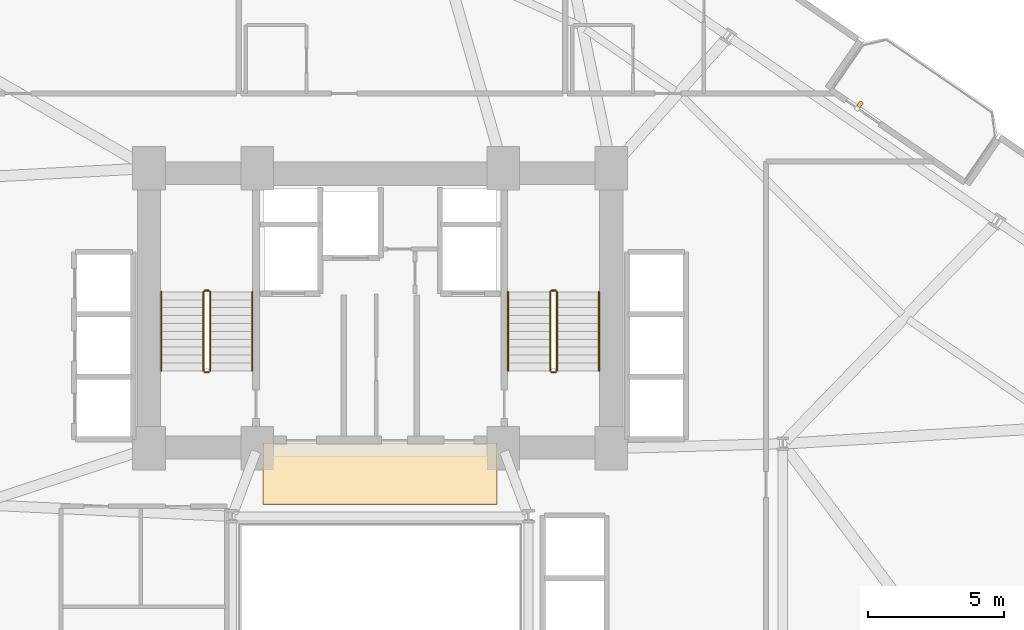
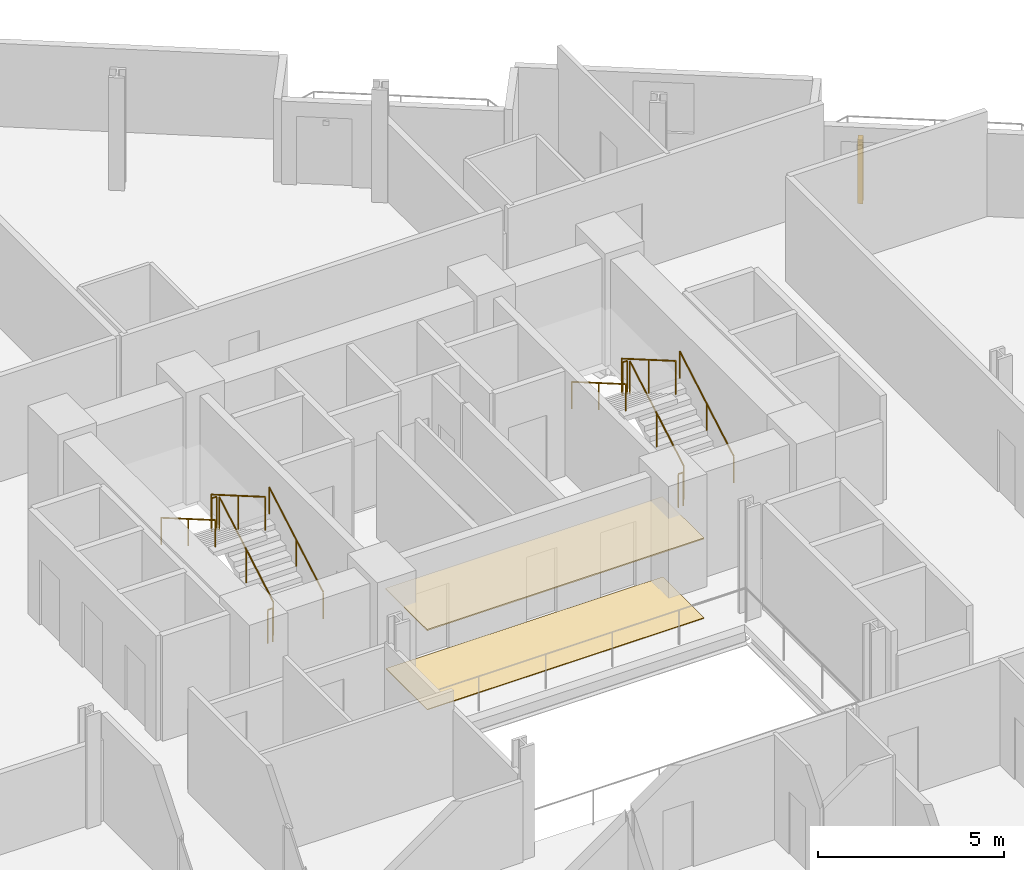
# One storey, part 24 of 25: 12 railings, 2 coverings, 1 shading device.
"""IFC4 building model written with IfcOpenShell, lengths in metres."""

from ifc_helpers import new_model, si_unit, direction, frame, origin, origin_2d, place, context, subcontext, project, spatial, rectangle, circle, extrude, source, transform, mapped, material, layer, layer_set, type_object, element, save


model = new_model("IFC4")

# Units and contexts
model_context = context("Model", 3, precision=1e-05, world=origin(), true_north=direction((0.0, 1.0)))
body_context = subcontext(model_context, "Body", "Model", "MODEL_VIEW")
ifc_project = project(units=[si_unit("LENGTHUNIT", "METRE"), si_unit("AREAUNIT", "SQUARE_METRE"), si_unit("VOLUMEUNIT", "CUBIC_METRE"), si_unit("PLANEANGLEUNIT", "RADIAN"), si_unit("MASSUNIT", "GRAM", prefix="KILO")], contexts=[model_context])

# Site, building, storey
site_placement = place(None, origin())
site = spatial("IfcSite", under=ifc_project, at=site_placement, CompositionType="ELEMENT")
building_placement = place(site_placement, origin())
building = spatial("IfcBuilding", under=site, at=building_placement, Name="Varnelok Gate Tower", CompositionType="ELEMENT")
storey_placement = place(building_placement, frame((0.0, 0.0, 49.199951171875)))
storey = spatial("IfcBuildingStorey", under=building, at=storey_placement, Name="L11", CompositionType="ELEMENT", Elevation=49.199951171875)

# Railings
ifc_material_1 = material(Name="Brushed Stainless Steel AISI 316", Category="steel")
railing_type_1 = type_object("IfcRailingType", Name="RL-HANDRAIL-900", PredefinedType="HANDRAIL", material=ifc_material_1)
railing_1_placement = place(storey_placement, frame((34.5, 31.60009765625, 0.168212890625)))
element("IfcRailing", 1, at=railing_1_placement, inside=storey, type_object=railing_type_1, Name="L11 ST-1 stair handrail 1", PredefinedType="HANDRAIL", context=body_context, shape_type="SweptSolid", body=[
    extrude(circle(Radius=0.02392578125, at=origin_2d()), frame((0.0, 0.0, 0.8759765625), z_axis=(0.0, 0.865038774852, 0.501705010941), x_axis=(-1.0, 0.0, 0.0)), (0.0, 0.0, 1.0), 3.352294921875),
    extrude(circle(Radius=0.02099609375, at=origin_2d()), origin(), (0.0, 0.0, 1.0), 0.851806640625),
    extrude(circle(Radius=0.02099609375, at=origin_2d()), frame((0.0, 1.449951171875, 0.8408203125)), (0.0, 0.0, 1.0), 0.851806640625),
    extrude(circle(Radius=0.02099609375, at=origin_2d()), frame((0.0, 2.89990234375, 1.681884765625)), (0.0, 0.0, 1.0), 0.851806640625),
])
railing_2_placement = place(storey_placement, frame((31.14990234375, 34.5, 2.018310546875)))
element("IfcRailing", 2, at=railing_2_placement, inside=storey, type_object=railing_type_1, Name="L11 ST-1 stair handrail 2", PredefinedType="HANDRAIL", context=body_context, shape_type="SweptSolid", body=[
    extrude(circle(Radius=0.02392578125, at=origin_2d()), frame((0.0, 0.0, 0.8759765625), z_axis=(0.0, -0.86507038078, 0.501650512107), x_axis=(1.0, 0.0, 0.0)), (0.0, 0.0, 1.0), 3.352294921875),
    extrude(circle(Radius=0.02099609375, at=origin_2d()), origin(), (0.0, 0.0, 1.0), 0.851806640625),
    extrude(circle(Radius=0.02099609375, at=origin_2d()), frame((0.0, -1.449951171875, 0.8408203125)), (0.0, 0.0, 1.0), 0.851806640625),
    extrude(circle(Radius=0.02099609375, at=origin_2d()), frame((0.0, -2.89990234375, 1.681640625)), (0.0, 0.0, 1.0), 0.851806640625),
])
railing_3_placement = place(storey_placement, frame((47.25, 31.60009765625, 0.168212890625)))
element("IfcRailing", 3, at=railing_3_placement, inside=storey, type_object=railing_type_1, Name="L11 ST-2 stair handrail 1", PredefinedType="HANDRAIL", context=body_context, shape_type="SweptSolid", body=[
    extrude(circle(Radius=0.02392578125, at=origin_2d()), frame((0.0, 0.0, 0.8759765625), z_axis=(0.0, 0.865038774852, 0.501705010941), x_axis=(-1.0, 0.0, 0.0)), (0.0, 0.0, 1.0), 3.352294921875),
    extrude(circle(Radius=0.02099609375, at=origin_2d()), origin(), (0.0, 0.0, 1.0), 0.851806640625),
    extrude(circle(Radius=0.02099609375, at=origin_2d()), frame((0.0, 1.449951171875, 0.8408203125)), (0.0, 0.0, 1.0), 0.851806640625),
    extrude(circle(Radius=0.02099609375, at=origin_2d()), frame((0.0, 2.89990234375, 1.681884765625)), (0.0, 0.0, 1.0), 0.851806640625),
])
railing_4_placement = place(storey_placement, frame((43.89990234375, 34.5, 2.018310546875)))
element("IfcRailing", 4, at=railing_4_placement, inside=storey, type_object=railing_type_1, Name="L11 ST-2 stair handrail 2", PredefinedType="HANDRAIL", context=body_context, shape_type="SweptSolid", body=[
    extrude(circle(Radius=0.02392578125, at=origin_2d()), frame((0.0, 0.0, 0.8759765625), z_axis=(0.0, -0.86507038078, 0.501650512107), x_axis=(1.0, 0.0, 0.0)), (0.0, 0.0, 1.0), 3.352294921875),
    extrude(circle(Radius=0.02099609375, at=origin_2d()), origin(), (0.0, 0.0, 1.0), 0.851806640625),
    extrude(circle(Radius=0.02099609375, at=origin_2d()), frame((0.0, -1.449951171875, 0.8408203125)), (0.0, 0.0, 1.0), 0.851806640625),
    extrude(circle(Radius=0.02099609375, at=origin_2d()), frame((0.0, -2.89990234375, 1.681640625)), (0.0, 0.0, 1.0), 0.851806640625),
])
ifc_material_2 = material(Name="Galvanized Steel Grade S350GD", Category="steel")
railing_type_2 = type_object("IfcRailingType", Name="RL-STAIR-GUARD1120", PredefinedType="GUARDRAIL", material=ifc_material_2)
railing_5_placement = place(storey_placement, frame((32.949951171875, 31.60009765625, 0.168212890625)))
element("IfcRailing", 5, at=railing_5_placement, inside=storey, type_object=railing_type_2, Name="L11 ST-1 stair guard 1", PredefinedType="GUARDRAIL", context=body_context, shape_type="SweptSolid", body=[
    extrude(circle(Radius=0.02392578125, at=origin_2d()), frame((0.0, 0.0, 1.09619140625), z_axis=(0.0, 0.865038774852, 0.501705010941), x_axis=(-1.0, 0.0, 0.0)), (0.0, 0.0, 1.0), 3.352294921875),
    extrude(circle(Radius=0.02099609375, at=origin_2d()), origin(), (0.0, 0.0, 1.0), 1.072021484375),
    extrude(circle(Radius=0.02099609375, at=origin_2d()), frame((0.0, 1.449951171875, 0.8408203125)), (0.0, 0.0, 1.0), 1.072021484375),
    extrude(circle(Radius=0.02099609375, at=origin_2d()), frame((0.0, 2.89990234375, 1.681884765625)), (0.0, 0.0, 1.0), 1.072021484375),
])
railing_6_placement = place(storey_placement, frame((32.89990234375, 34.550048828125, 1.85009765625)))
element("IfcRailing", 6, at=railing_6_placement, inside=storey, type_object=railing_type_2, Name="L11 ST-1 stair guard 2", PredefinedType="GUARDRAIL", context=body_context, shape_type="SweptSolid", body=[
    extrude(circle(Radius=0.02392578125, at=origin_2d()), frame((0.0, 0.0, 1.09619140625), z_axis=(-1.0, 0.0, 0.0), x_axis=(0.0, -1.0, 0.0)), (0.0, 0.0, 1.0), 0.14990234375),
    extrude(circle(Radius=0.02099609375, at=origin_2d()), origin(), (0.0, 0.0, 1.0), 1.072021484375),
    extrude(circle(Radius=0.02099609375, at=origin_2d()), frame((-0.14990234375, 0.0, 0.0)), (0.0, 0.0, 1.0), 1.072021484375),
])
railing_7_placement = place(storey_placement, frame((32.699951171875, 34.5, 2.018310546875)))
element("IfcRailing", 7, at=railing_7_placement, inside=storey, type_object=railing_type_2, Name="L11 ST-1 stair guard 3", PredefinedType="GUARDRAIL", context=body_context, shape_type="SweptSolid", body=[
    extrude(circle(Radius=0.02392578125, at=origin_2d()), frame((0.0, 0.0, 1.09619140625), z_axis=(0.0, -0.86507038078, 0.501650512107), x_axis=(1.0, 0.0, 0.0)), (0.0, 0.0, 1.0), 3.352294921875),
    extrude(circle(Radius=0.02099609375, at=origin_2d()), origin(), (0.0, 0.0, 1.0), 1.072021484375),
    extrude(circle(Radius=0.02099609375, at=origin_2d()), frame((0.0, -1.449951171875, 0.8408203125)), (0.0, 0.0, 1.0), 1.072021484375),
    extrude(circle(Radius=0.02099609375, at=origin_2d()), frame((0.0, -2.89990234375, 1.681640625)), (0.0, 0.0, 1.0), 1.072021484375),
])
railing_8_placement = place(storey_placement, frame((32.89990234375, 31.550048828125, 0.0)))
element("IfcRailing", 8, at=railing_8_placement, inside=storey, type_object=railing_type_2, Name="L11 ST-1 stair guard 4", PredefinedType="GUARDRAIL", context=body_context, shape_type="SweptSolid", body=[
    extrude(circle(Radius=0.02392578125, at=origin_2d()), frame((0.0, 0.0, 1.09619140625), z_axis=(-1.0, 0.0, 0.0), x_axis=(0.0, -1.0, 0.0)), (0.0, 0.0, 1.0), 0.14990234375),
    extrude(circle(Radius=0.02099609375, at=origin_2d()), origin(), (0.0, 0.0, 1.0), 1.072021484375),
    extrude(circle(Radius=0.02099609375, at=origin_2d()), frame((-0.14990234375, 0.0, 0.0)), (0.0, 0.0, 1.0), 1.072021484375),
])
railing_9_placement = place(storey_placement, frame((45.699951171875, 31.60009765625, 0.168212890625)))
element("IfcRailing", 9, at=railing_9_placement, inside=storey, type_object=railing_type_2, Name="L11 ST-2 stair guard 1", PredefinedType="GUARDRAIL", context=body_context, shape_type="SweptSolid", body=[
    extrude(circle(Radius=0.02392578125, at=origin_2d()), frame((0.0, 0.0, 1.09619140625), z_axis=(0.0, 0.865038774852, 0.501705010941), x_axis=(-1.0, 0.0, 0.0)), (0.0, 0.0, 1.0), 3.352294921875),
    extrude(circle(Radius=0.02099609375, at=origin_2d()), origin(), (0.0, 0.0, 1.0), 1.072021484375),
    extrude(circle(Radius=0.02099609375, at=origin_2d()), frame((0.0, 1.449951171875, 0.8408203125)), (0.0, 0.0, 1.0), 1.072021484375),
    extrude(circle(Radius=0.02099609375, at=origin_2d()), frame((0.0, 2.89990234375, 1.681884765625)), (0.0, 0.0, 1.0), 1.072021484375),
])
railing_10_placement = place(storey_placement, frame((45.64990234375, 34.550048828125, 1.85009765625)))
element("IfcRailing", 10, at=railing_10_placement, inside=storey, type_object=railing_type_2, Name="L11 ST-2 stair guard 2", PredefinedType="GUARDRAIL", context=body_context, shape_type="SweptSolid", body=[
    extrude(circle(Radius=0.02392578125, at=origin_2d()), frame((0.0, 0.0, 1.09619140625), z_axis=(-1.0, 0.0, 0.0), x_axis=(0.0, -1.0, 0.0)), (0.0, 0.0, 1.0), 0.14990234375),
    extrude(circle(Radius=0.02099609375, at=origin_2d()), origin(), (0.0, 0.0, 1.0), 1.072021484375),
    extrude(circle(Radius=0.02099609375, at=origin_2d()), frame((-0.14990234375, 0.0, 0.0)), (0.0, 0.0, 1.0), 1.072021484375),
])
railing_11_placement = place(storey_placement, frame((45.449951171875, 34.5, 2.018310546875)))
element("IfcRailing", 11, at=railing_11_placement, inside=storey, type_object=railing_type_2, Name="L11 ST-2 stair guard 3", PredefinedType="GUARDRAIL", context=body_context, shape_type="SweptSolid", body=[
    extrude(circle(Radius=0.02392578125, at=origin_2d()), frame((0.0, 0.0, 1.09619140625), z_axis=(0.0, -0.86507038078, 0.501650512107), x_axis=(1.0, 0.0, 0.0)), (0.0, 0.0, 1.0), 3.352294921875),
    extrude(circle(Radius=0.02099609375, at=origin_2d()), origin(), (0.0, 0.0, 1.0), 1.072021484375),
    extrude(circle(Radius=0.02099609375, at=origin_2d()), frame((0.0, -1.449951171875, 0.8408203125)), (0.0, 0.0, 1.0), 1.072021484375),
    extrude(circle(Radius=0.02099609375, at=origin_2d()), frame((0.0, -2.89990234375, 1.681640625)), (0.0, 0.0, 1.0), 1.072021484375),
])
railing_12_placement = place(storey_placement, frame((45.64990234375, 31.550048828125, 0.0)))
element("IfcRailing", 12, at=railing_12_placement, inside=storey, type_object=railing_type_2, Name="L11 ST-2 stair guard 4", PredefinedType="GUARDRAIL", context=body_context, shape_type="SweptSolid", body=[
    extrude(circle(Radius=0.02392578125, at=origin_2d()), frame((0.0, 0.0, 1.09619140625), z_axis=(-1.0, 0.0, 0.0), x_axis=(0.0, -1.0, 0.0)), (0.0, 0.0, 1.0), 0.14990234375),
    extrude(circle(Radius=0.02099609375, at=origin_2d()), origin(), (0.0, 0.0, 1.0), 1.072021484375),
    extrude(circle(Radius=0.02099609375, at=origin_2d()), frame((-0.14990234375, 0.0, 0.0)), (0.0, 0.0, 1.0), 1.072021484375),
])

# Shading device
ifc_material_3 = material(Name="Glazed Architectural Terracotta Ceramic", Category="masonry")
shading_device_type = type_object("IfcShadingDeviceType", Name="SHD-TERRA-FIN", PredefinedType="USERDEFINED", material=ifc_material_3)
shared_shape_1 = source(origin(), body_context, "Body", "SweptSolid", [
    extrude(rectangle(XDim=0.139892578125, YDim=0.219970703125, at=origin_2d()), origin(), (0.0, 0.0, 1.0), 2.10009765625),
])
shading_device_placement = place(storey_placement, frame((56.847412109375, 41.400390625, 0.10009765625), z_axis=(0.0, 0.0, 1.0), x_axis=(0.823532597628, -0.567268949127, 0.0)))
element("IfcShadingDevice", 13, at=shading_device_placement, inside=storey, type_object=shading_device_type, Name="L11 Terracotta Ceramic Baguette Sunscreen 4.1", ObjectType="BAGUETTE", PredefinedType="USERDEFINED", context=body_context, shape_type="MappedRepresentation", body=[
    mapped(shared_shape_1, transform((0.0, 0.0, 0.0), scale=1.0)),
])

# Coverings
ifc_material_4 = material(Name="Honed Travertine Stone Flooring", Category="masonry")
ifc_layer_1 = layer(ifc_material_4, 0.02490234375)
ifc_layer_set_1 = layer_set([ifc_layer_1], Name="Honed Travertine Stone Flooring")
covering_type_1 = type_object("IfcCoveringType", Name="COV-FLOR-STONE", PredefinedType="FLOORING", material=ifc_layer_set_1)
shared_shape_2 = source(origin(), body_context, "Body", "SweptSolid", [
    extrude(rectangle(XDim=8.60009765625, YDim=2.219970703125, at=origin_2d()), origin(), (0.0, 0.0, 1.0), 0.02490234375),
])
covering_1_placement = place(storey_placement, frame((39.199951171875, 27.800048828125, 0.0), z_axis=(0.0, 0.0, 1.0), x_axis=(1.0, 0.0, 0.0)))
element("IfcCovering", 14, at=covering_1_placement, inside=storey, type_object=covering_type_1, Name="L11 Core Gallery Stone Flooring", PredefinedType="FLOORING", context=body_context, shape_type="MappedRepresentation", body=[
    mapped(shared_shape_2, transform((0.0, 0.0, 0.0), scale=1.0)),
])
ifc_material_5 = material(Name="Mineral Fiber Acoustic Ceiling Tile")
ifc_layer_2 = layer(ifc_material_5, 0.0400390625)
ifc_layer_set_2 = layer_set([ifc_layer_2], Name="Mineral Fiber Acoustic Ceiling Tile")
covering_type_2 = type_object("IfcCoveringType", Name="COV-CEIL-ACOUST", PredefinedType="CEILING", material=ifc_layer_set_2)
shared_shape_3 = source(origin(), body_context, "Body", "SweptSolid", [
    extrude(rectangle(XDim=8.60009765625, YDim=2.239990234375, at=origin_2d()), origin(), (0.0, 0.0, 1.0), 0.0400390625),
])
covering_2_placement = place(storey_placement, frame((39.199951171875, 27.820068359375, 2.60009765625), z_axis=(0.0, 0.0, 1.0), x_axis=(1.0, 0.0, 0.0)))
element("IfcCovering", 15, at=covering_2_placement, inside=storey, type_object=covering_type_2, Name="L11 Core Gallery Acoustic Ceiling", PredefinedType="CEILING", context=body_context, shape_type="MappedRepresentation", body=[
    mapped(shared_shape_3, transform((0.0, 0.0, 0.0), scale=1.0)),
])

save(model, "model.ifc")
